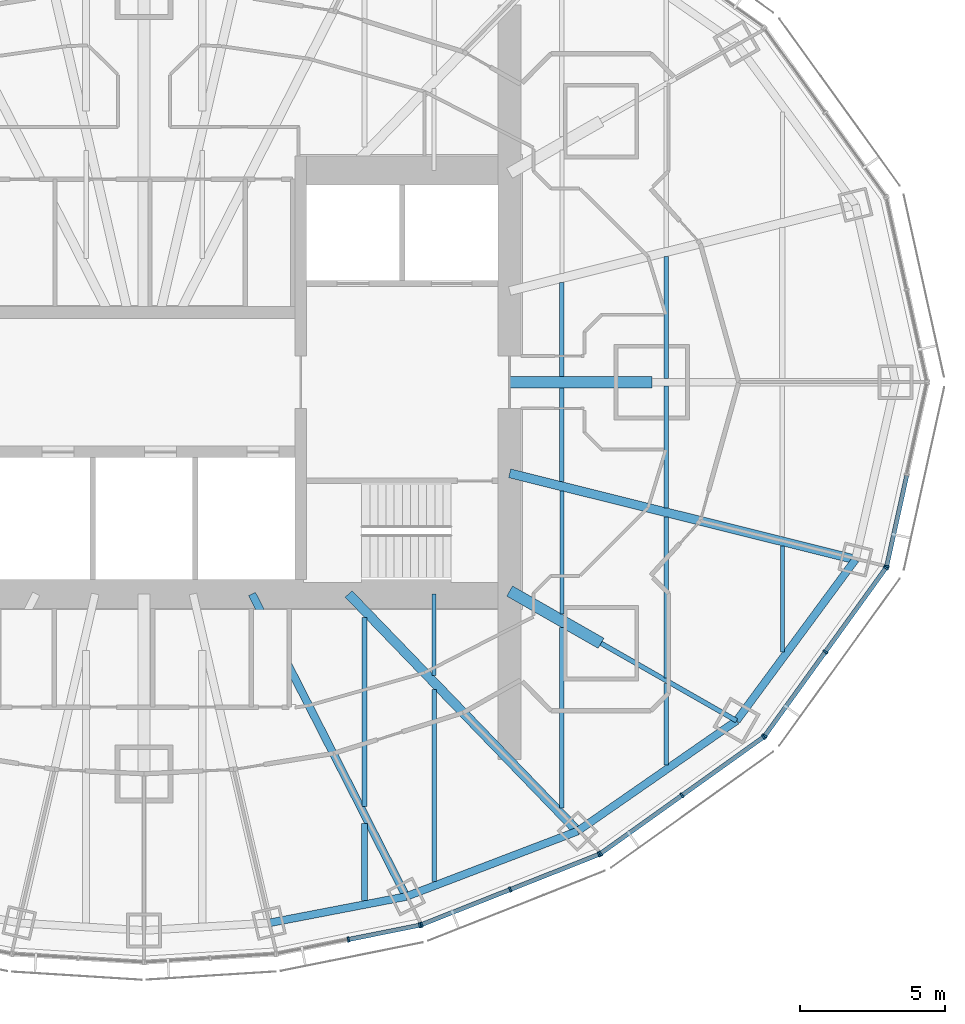
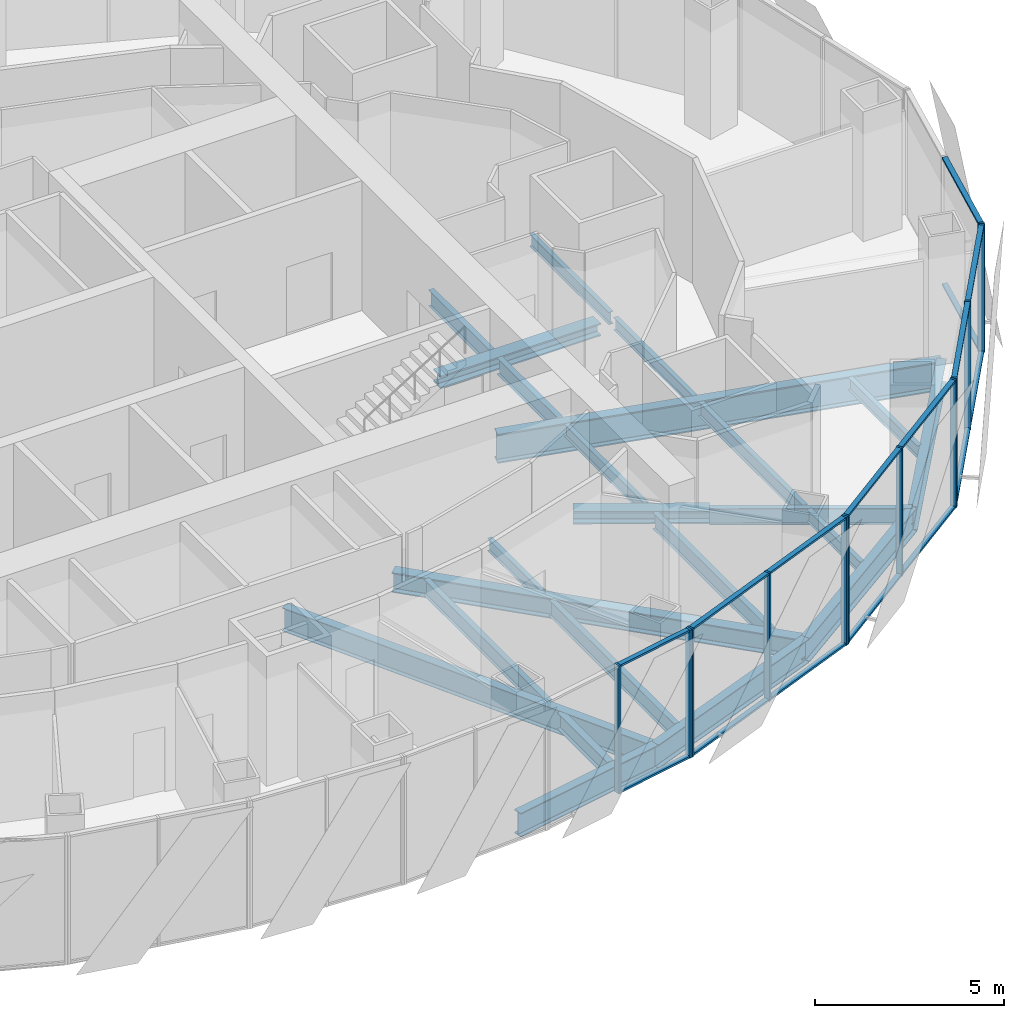
# One storey, part 6 of 18: 28 members, 23 beams, 5 elements without a shape of their own.
"""IFC4 building model written with IfcOpenShell, lengths in metres."""

from ifc_helpers import new_model, si_unit, direction, frame, origin, origin_2d, place, context, subcontext, project, spatial, rectangle, i_section, extrude, material, material_profile, profile_set, type_object, element, aggregate, save


model = new_model("IFC4")

# Units and contexts
model_context = context("Model", 3, precision=1e-05, world=origin(), true_north=direction((0.0, 1.0)))
body_context = subcontext(model_context, "Body", "Model", "MODEL_VIEW")
ifc_project = project(units=[si_unit("LENGTHUNIT", "METRE"), si_unit("AREAUNIT", "SQUARE_METRE"), si_unit("VOLUMEUNIT", "CUBIC_METRE"), si_unit("PLANEANGLEUNIT", "RADIAN"), si_unit("MASSUNIT", "GRAM", prefix="KILO")], contexts=[model_context])

# Site, building, storey
site_placement = place(None, origin())
site = spatial("IfcSite", under=ifc_project, at=site_placement, CompositionType="ELEMENT")
building_placement = place(site_placement, origin())
building = spatial("IfcBuilding", under=site, at=building_placement, Name="Lantaw Convention Tower", CompositionType="ELEMENT")
storey_placement = place(building_placement, frame((0.0, 0.0, 228.39990234375)))
storey = spatial("IfcBuildingStorey", under=building, at=storey_placement, Name="L53", CompositionType="ELEMENT", Elevation=228.39990234375)

# Beams
ifc_material_1 = material(Name="Steel ASTM A992", Category="steel")
ifc_material_profile_1 = material_profile(ifc_material_1, i_section(OverallWidth=0.2666015625, OverallDepth=0.76953125, WebThickness=0.015625, FlangeThickness=0.025390625, FilletRadius=0.0126953125, at=origin_2d()), Name="W30X132")
ifc_profile_set_1 = profile_set([ifc_material_profile_1], Name="Steel ASTM A992")
beam_type_1 = type_object("IfcBeamType", Name="Beam E W30X132", PredefinedType="SPANDREL", material=ifc_profile_set_1)
beam_1_placement = place(storey_placement, frame((4.303955078125, -18.64208984375, -0.53466796875), z_axis=(0.981972091702, 0.189025953556, 0.0), x_axis=(-0.189025953556, 0.981972091702, 0.0)))
element("IfcBeam", 1, at=beam_1_placement, inside=storey, type_object=beam_type_1, Name="Edge beam 20", PredefinedType="SPANDREL", context=body_context, shape_type="SweptSolid", body=[
    extrude(i_section(OverallWidth=0.2666015625, OverallDepth=0.76953125, WebThickness=0.015625, FlangeThickness=0.025390625, FilletRadius=0.0126953125, at=origin_2d()), origin(), (0.0, 0.0, 1.0), 4.817626953125),
])
beam_2_placement = place(storey_placement, frame((9.03466796875, -17.7314453125, -0.53466796875), z_axis=(0.934234988, 0.356658081637, 0.0), x_axis=(-0.356658081637, 0.934234988, 0.0)))
element("IfcBeam", 2, at=beam_2_placement, inside=storey, type_object=beam_type_1, Name="Edge beam 21", PredefinedType="SPANDREL", context=body_context, shape_type="SweptSolid", body=[
    extrude(i_section(OverallWidth=0.2666015625, OverallDepth=0.76953125, WebThickness=0.015625, FlangeThickness=0.025390625, FilletRadius=0.0126953125, at=origin_2d()), origin(), (0.0, 0.0, 1.0), 6.32568359375),
])
beam_3_placement = place(storey_placement, frame((14.9443359375, -15.475341796875, -0.53466796875), z_axis=(0.82135329406, 0.570419815869, 0.0), x_axis=(-0.570419815869, 0.82135329406, 0.0)))
element("IfcBeam", 3, at=beam_3_placement, inside=storey, type_object=beam_type_1, Name="Edge beam 22", PredefinedType="SPANDREL", context=body_context, shape_type="SweptSolid", body=[
    extrude(i_section(OverallWidth=0.2666015625, OverallDepth=0.76953125, WebThickness=0.015625, FlangeThickness=0.025390625, FilletRadius=0.0126953125, at=origin_2d()), origin(), (0.0, 0.0, 1.0), 6.67041015625),
])
beam_4_placement = place(storey_placement, frame((20.423095703125, -11.67041015625, -0.53466796875), z_axis=(0.593639188853, 0.804731329984, 0.0), x_axis=(-0.804731329984, 0.593639188853, 0.0)))
element("IfcBeam", 4, at=beam_4_placement, inside=storey, type_object=beam_type_1, Name="Edge beam 23", PredefinedType="SPANDREL", context=body_context, shape_type="SweptSolid", body=[
    extrude(i_section(OverallWidth=0.2666015625, OverallDepth=0.76953125, WebThickness=0.015625, FlangeThickness=0.025390625, FilletRadius=0.0126953125, at=origin_2d()), origin(), (0.0, 0.0, 1.0), 6.904541015625),
])
ifc_material_profile_2 = material_profile(ifc_material_1, i_section(OverallWidth=0.165771484375, OverallDepth=0.5283203125, WebThickness=0.009765625, FlangeThickness=0.013671875, FilletRadius=0.012939453125, at=origin_2d()), Name="W21X50")
ifc_profile_set_2 = profile_set([ifc_material_profile_2], Name="Steel ASTM A992")
beam_type_2 = type_object("IfcBeamType", Name="Beam G W21X50", PredefinedType="BEAM", material=ifc_profile_set_2)
beam_5_placement = place(storey_placement, frame((15.75, -9.0, -0.4140625), z_axis=(0.868237559289, -0.496148708192, 0.0), x_axis=(0.496148708192, 0.868237559289, 0.0)))
element("IfcBeam", 5, at=beam_5_placement, inside=storey, type_object=beam_type_2, Name="Floor girder on ray 23", PredefinedType="BEAM", context=body_context, shape_type="SweptSolid", body=[
    extrude(i_section(OverallWidth=0.165771484375, OverallDepth=0.5283203125, WebThickness=0.009765625, FlangeThickness=0.013671875, FilletRadius=0.012939453125, at=origin_2d()), origin(), (0.0, 0.0, 1.0), 5.38232421875),
])
ifc_material_profile_3 = material_profile(ifc_material_1, i_section(OverallWidth=0.32763671875, OverallDepth=0.64013671875, WebThickness=0.01904296875, FlangeThickness=0.033935546875, FilletRadius=0.0126953125, at=origin_2d()), Name="W24X176")
ifc_profile_set_3 = profile_set([ifc_material_profile_3], Name="Steel ASTM A992")
beam_type_3 = type_object("IfcBeamType", Name="Beam G W24X176", PredefinedType="BEAM", material=ifc_profile_set_3)
beam_6_placement = place(storey_placement, frame((7.049560546875, -7.300048828125, -0.469970703125), z_axis=(0.694657766726, -0.719340383356, 0.0), x_axis=(0.719340383356, 0.694657766726, 0.0)))
element("IfcBeam", 6, at=beam_6_placement, inside=storey, type_object=beam_type_3, Name="Floor girder on ray 22", PredefinedType="BEAM", context=body_context, shape_type="SweptSolid", body=[
    extrude(i_section(OverallWidth=0.32763671875, OverallDepth=0.64013671875, WebThickness=0.01904296875, FlangeThickness=0.033935546875, FilletRadius=0.0126953125, at=origin_2d()), origin(), (0.0, 0.0, 1.0), 11.364990234375),
])
ifc_material_profile_4 = material_profile(ifc_material_1, i_section(OverallWidth=0.2666015625, OverallDepth=0.7568359375, WebThickness=0.013916015625, FlangeThickness=0.019287109375, FilletRadius=0.0126953125, at=origin_2d()), Name="W30X108")
ifc_profile_set_4 = profile_set([ifc_material_profile_4], Name="Steel ASTM A992")
beam_type_4 = type_object("IfcBeamType", Name="Beam G W30X108", PredefinedType="BEAM", material=ifc_profile_set_4)
beam_7_placement = place(storey_placement, frame((3.719482421875, -7.300048828125, -0.5283203125), z_axis=(0.4539988787, -0.891002254845, 0.0), x_axis=(0.891002254845, 0.4539988787, 0.0)))
element("IfcBeam", 7, at=beam_7_placement, inside=storey, type_object=beam_type_4, Name="Floor girder on ray 21", PredefinedType="BEAM", context=body_context, shape_type="SweptSolid", body=[
    extrude(i_section(OverallWidth=0.2666015625, OverallDepth=0.7568359375, WebThickness=0.013916015625, FlangeThickness=0.019287109375, FilletRadius=0.0126953125, at=origin_2d()), origin(), (0.0, 0.0, 1.0), 11.70751953125),
])
ifc_material_profile_5 = material_profile(ifc_material_1, i_section(OverallWidth=0.307373046875, OverallDepth=0.9423828125, WebThickness=0.022216796875, FlangeThickness=0.039794921875, FilletRadius=0.0126953125, at=origin_2d()), Name="W36X232")
ifc_profile_set_5 = profile_set([ifc_material_profile_5], Name="Steel ASTM A992")
beam_type_5 = type_object("IfcBeamType", Name="Beam G W36X232", PredefinedType="BEAM", material=ifc_profile_set_5)
beam_8_placement = place(storey_placement, frame((12.60009765625, -3.1416015625, -0.62109375), z_axis=(0.970296589314, -0.241918434119, 0.0), x_axis=(0.241918434119, 0.970296589314, 0.0)))
element("IfcBeam", 8, at=beam_8_placement, inside=storey, type_object=beam_type_5, Name="Floor girder on ray 24", PredefinedType="BEAM", context=body_context, shape_type="SweptSolid", body=[
    extrude(i_section(OverallWidth=0.307373046875, OverallDepth=0.9423828125, WebThickness=0.022216796875, FlangeThickness=0.039794921875, FilletRadius=0.0126953125, at=origin_2d()), origin(), (0.0, 0.0, 1.0), 12.286865234375),
])
ifc_material_profile_6 = material_profile(ifc_material_1, i_section(OverallWidth=0.40380859375, OverallDepth=0.406494140625, WebThickness=0.027099609375, FlangeThickness=0.043701171875, FilletRadius=0.01513671875, at=origin_2d()), Name="W14X233")
ifc_profile_set_6 = profile_set([ifc_material_profile_6], Name="Steel ASTM A992")
beam_type_6 = type_object("IfcBeamType", Name="Beam GM W14X233", PredefinedType="BEAM", material=ifc_profile_set_6)
beam_9_placement = place(storey_placement, frame((12.60009765625, 0.0, -0.35302734375), z_axis=(1.0, 0.0, 0.0), x_axis=(0.0, 1.0, 0.0)))
element("IfcBeam", 9, at=beam_9_placement, inside=storey, type_object=beam_type_6, Name="Core link beam on ray 1", PredefinedType="BEAM", context=body_context, shape_type="SweptSolid", body=[
    extrude(i_section(OverallWidth=0.40380859375, OverallDepth=0.406494140625, WebThickness=0.027099609375, FlangeThickness=0.043701171875, FilletRadius=0.01513671875, at=origin_2d()), origin(), (0.0, 0.0, 1.0), 4.89990234375),
])
beam_10_placement = place(storey_placement, frame((12.60009765625, -7.199951171875, -0.35302734375), z_axis=(0.868230718294, -0.496160679428, 0.0), x_axis=(0.496160679428, 0.868230718294, 0.0)))
element("IfcBeam", 10, at=beam_10_placement, inside=storey, type_object=beam_type_6, Name="Core link beam on ray 23", PredefinedType="BEAM", context=body_context, shape_type="SweptSolid", body=[
    extrude(i_section(OverallWidth=0.40380859375, OverallDepth=0.406494140625, WebThickness=0.027099609375, FlangeThickness=0.043701171875, FilletRadius=0.01513671875, at=origin_2d()), origin(), (0.0, 0.0, 1.0), 3.6279296875),
])
ifc_material_profile_7 = material_profile(ifc_material_1, i_section(OverallWidth=0.140380859375, OverallDepth=0.40380859375, WebThickness=0.007080078125, FlangeThickness=0.01123046875, FilletRadius=0.01025390625, at=origin_2d()), Name="W16X31")
ifc_profile_set_7 = profile_set([ifc_material_profile_7], Name="Steel ASTM A992")
beam_type_7 = type_object("IfcBeamType", Name="Beam J W16X31", PredefinedType="JOIST", material=ifc_profile_set_7)
beam_11_placement = place(storey_placement, frame((10.0, -10.119384765625, -0.351806640625), z_axis=(0.0, 1.0, 0.0), x_axis=(-1.0, 0.0, 0.0)))
element("IfcBeam", 11, at=beam_11_placement, inside=storey, type_object=beam_type_7, Name="Floor joist", PredefinedType="JOIST", context=body_context, shape_type="SweptSolid", body=[
    extrude(i_section(OverallWidth=0.140380859375, OverallDepth=0.40380859375, WebThickness=0.007080078125, FlangeThickness=0.01123046875, FilletRadius=0.01025390625, at=origin_2d()), origin(), (0.0, 0.0, 1.0), 2.8193359375),
])
beam_12_placement = place(storey_placement, frame((14.39990234375, -7.99609375, -0.351806640625), z_axis=(0.0, 1.0, 0.0), x_axis=(-1.0, 0.0, 0.0)))
element("IfcBeam", 12, at=beam_12_placement, inside=storey, type_object=beam_type_7, Name="Floor joist", PredefinedType="JOIST", context=body_context, shape_type="SweptSolid", body=[
    extrude(i_section(OverallWidth=0.140380859375, OverallDepth=0.40380859375, WebThickness=0.007080078125, FlangeThickness=0.01123046875, FilletRadius=0.01025390625, at=origin_2d()), origin(), (0.0, 0.0, 1.0), 4.247314453125),
])
beam_13_placement = place(storey_placement, frame((18.0, -13.19091796875, -0.351806640625), z_axis=(0.0, 1.0, 0.0), x_axis=(-1.0, 0.0, 0.0)))
element("IfcBeam", 13, at=beam_13_placement, inside=storey, type_object=beam_type_7, Name="Floor joist", PredefinedType="JOIST", context=body_context, shape_type="SweptSolid", body=[
    extrude(i_section(OverallWidth=0.140380859375, OverallDepth=0.40380859375, WebThickness=0.007080078125, FlangeThickness=0.01123046875, FilletRadius=0.01025390625, at=origin_2d()), origin(), (0.0, 0.0, 1.0), 2.8095703125),
])
for number, where, z_axis, x_axis, name in (
    (14, (18.0, -4.32958984375, -0.351806640625), (0.0, 1.0, 0.0), (-1.0, 0.0, 0.0), "Floor joist"),
    (15, (18.0, 0.126953125, -0.351806640625), (0.0, 1.0, 0.0), (-1.0, 0.0, 0.0), "Floor joist"),
):
    element("IfcBeam", number, at=place(storey_placement, frame(where, z_axis=z_axis, x_axis=x_axis)), inside=storey, type_object=beam_type_7, Name=name, PredefinedType="JOIST", context=body_context, shape_type="SweptSolid", body=[
        extrude(i_section(OverallWidth=0.140380859375, OverallDepth=0.40380859375, WebThickness=0.007080078125, FlangeThickness=0.01123046875, FilletRadius=0.01025390625, at=origin_2d()), origin(), (0.0, 0.0, 1.0), 4.20263671875),
    ])
beam_14_placement = place(storey_placement, frame((22.0, -9.30810546875, -0.351806640625), z_axis=(0.0, 1.0, 0.0), x_axis=(-1.0, 0.0, 0.0)))
element("IfcBeam", 16, at=beam_14_placement, inside=storey, type_object=beam_type_7, Name="Floor joist", PredefinedType="JOIST", context=body_context, shape_type="SweptSolid", body=[
    extrude(i_section(OverallWidth=0.140380859375, OverallDepth=0.40380859375, WebThickness=0.007080078125, FlangeThickness=0.01123046875, FilletRadius=0.01025390625, at=origin_2d()), origin(), (0.0, 0.0, 1.0), 3.66455078125),
])
ifc_material_profile_8 = material_profile(ifc_material_1, i_section(OverallWidth=0.15234375, OverallDepth=0.449462890625, WebThickness=0.007568359375, FlangeThickness=0.0107421875, FilletRadius=0.01025390625, at=origin_2d()), Name="W18X35")
ifc_profile_set_8 = profile_set([ifc_material_profile_8], Name="Steel ASTM A992")
beam_type_8 = type_object("IfcBeamType", Name="Beam J W18X35", PredefinedType="JOIST", material=ifc_profile_set_8)
beam_15_placement = place(storey_placement, frame((18.0, -10.190185546875, -0.374755859375), z_axis=(0.0, 1.0, 0.0), x_axis=(-1.0, 0.0, 0.0)))
element("IfcBeam", 17, at=beam_15_placement, inside=storey, type_object=beam_type_8, Name="Floor joist", PredefinedType="JOIST", context=body_context, shape_type="SweptSolid", body=[
    extrude(i_section(OverallWidth=0.15234375, OverallDepth=0.449462890625, WebThickness=0.007568359375, FlangeThickness=0.0107421875, FilletRadius=0.01025390625, at=origin_2d()), origin(), (0.0, 0.0, 1.0), 5.5439453125),
])
ifc_material_profile_9 = material_profile(ifc_material_1, i_section(OverallWidth=0.1650390625, OverallDepth=0.52587890625, WebThickness=0.0087890625, FlangeThickness=0.011474609375, FilletRadius=0.0126953125, at=origin_2d()), Name="W21X44")
ifc_profile_set_9 = profile_set([ifc_material_profile_9], Name="Steel ASTM A992")
beam_type_9 = type_object("IfcBeamType", Name="Beam J W21X44", PredefinedType="JOIST", material=ifc_profile_set_9)
beam_16_placement = place(storey_placement, frame((7.60009765625, -14.6220703125, -0.412841796875), z_axis=(0.0, 1.0, 0.0), x_axis=(-1.0, 0.0, 0.0)))
element("IfcBeam", 18, at=beam_16_placement, inside=storey, type_object=beam_type_9, Name="Floor joist", PredefinedType="JOIST", context=body_context, shape_type="SweptSolid", body=[
    extrude(i_section(OverallWidth=0.1650390625, OverallDepth=0.52587890625, WebThickness=0.0087890625, FlangeThickness=0.011474609375, FilletRadius=0.0126953125, at=origin_2d()), origin(), (0.0, 0.0, 1.0), 6.51611328125),
])
beam_17_placement = place(storey_placement, frame((10.0, -17.22021484375, -0.412841796875), z_axis=(0.0, 1.0, 0.0), x_axis=(-1.0, 0.0, 0.0)))
element("IfcBeam", 19, at=beam_17_placement, inside=storey, type_object=beam_type_9, Name="Floor joist", PredefinedType="JOIST", context=body_context, shape_type="SweptSolid", body=[
    extrude(i_section(OverallWidth=0.1650390625, OverallDepth=0.52587890625, WebThickness=0.0087890625, FlangeThickness=0.011474609375, FilletRadius=0.0126953125, at=origin_2d()), origin(), (0.0, 0.0, 1.0), 6.629150390625),
])
beam_18_placement = place(storey_placement, frame((14.39990234375, -14.67578125, -0.412841796875), z_axis=(0.0, 1.0, 0.0), x_axis=(-1.0, 0.0, 0.0)))
element("IfcBeam", 20, at=beam_18_placement, inside=storey, type_object=beam_type_9, Name="Floor joist", PredefinedType="JOIST", context=body_context, shape_type="SweptSolid", body=[
    extrude(i_section(OverallWidth=0.1650390625, OverallDepth=0.52587890625, WebThickness=0.0087890625, FlangeThickness=0.011474609375, FilletRadius=0.0126953125, at=origin_2d()), origin(), (0.0, 0.0, 1.0), 6.214599609375),
])
for number, where, z_axis, x_axis, name in (
    (21, (14.39990234375, -3.431884765625, -0.412841796875), (0.0, 1.0, 0.0), (-1.0, 0.0, 0.0), "Floor joist"),
    (22, (14.39990234375, 0.201904296875, -0.412841796875), (0.0, 1.0, 0.0), (-1.0, 0.0, 0.0), "Floor joist"),
):
    element("IfcBeam", number, at=place(storey_placement, frame(where, z_axis=z_axis, x_axis=x_axis)), inside=storey, type_object=beam_type_9, Name=name, PredefinedType="JOIST", context=body_context, shape_type="SweptSolid", body=[
        extrude(i_section(OverallWidth=0.1650390625, OverallDepth=0.52587890625, WebThickness=0.0087890625, FlangeThickness=0.011474609375, FilletRadius=0.0126953125, at=origin_2d()), origin(), (0.0, 0.0, 1.0), 3.22998046875),
    ])
ifc_material_profile_10 = material_profile(ifc_material_1, i_section(OverallWidth=0.2099609375, OverallDepth=0.535888671875, WebThickness=0.010986328125, FlangeThickness=0.017333984375, FilletRadius=0.012939453125, at=origin_2d()), Name="W21X68")
ifc_profile_set_10 = profile_set([ifc_material_profile_10], Name="Steel ASTM A992")
beam_type_10 = type_object("IfcBeamType", Name="Beam J W21X68", PredefinedType="JOIST", material=ifc_profile_set_10)
beam_19_placement = place(storey_placement, frame((7.60009765625, -17.871826171875, -0.41796875), z_axis=(0.0, 1.0, 0.0), x_axis=(-1.0, 0.0, 0.0)))
element("IfcBeam", 23, at=beam_19_placement, inside=storey, type_object=beam_type_10, Name="Floor joist", PredefinedType="JOIST", context=body_context, shape_type="SweptSolid", body=[
    extrude(i_section(OverallWidth=0.2099609375, OverallDepth=0.535888671875, WebThickness=0.010986328125, FlangeThickness=0.017333984375, FilletRadius=0.012939453125, at=origin_2d()), origin(), (0.0, 0.0, 1.0), 2.662353515625),
])

# Curtain wall, members
ifc_material_2 = material(Name="Aluminium framed curtain wall", Category="aluminium")
curtain_wall_type = type_object("IfcCurtainWallType", Name="Office curtain wall high rise, pale aluminium", PredefinedType="USERDEFINED", material=ifc_material_2)
curtain_wall_1_placement = place(storey_placement, origin())
curtain_wall_1 = element("IfcCurtainWall", 24, at=curtain_wall_1_placement, inside=storey, type_object=curtain_wall_type, Name="Office curtain wall high rise, pale aluminium L53", ObjectType="UNITISED CURTAIN WALL", PredefinedType="USERDEFINED")
ifc_material_3 = material(Name="Aluminium 6063-T6", Category="aluminium")
ifc_material_profile_11 = material_profile(ifc_material_3, rectangle(XDim=0.179931640625, YDim=0.06494140625, at=origin_2d()), Name="CW-O2 mullion 65x180")
ifc_profile_set_11 = profile_set([ifc_material_profile_11], Name="Aluminium 6063-T6")
member_type_1 = type_object("IfcMemberType", Name="CW-O2 mullion 65x180", PredefinedType="MULLION", material=ifc_profile_set_11)
member_1_placement = place(storey_placement, frame((7.042724609375, -19.212646484375, -0.14990234375), z_axis=(0.0, 0.0, 1.0), x_axis=(-0.197183095987, 0.980366679695, 0.0)))
member_1 = element("IfcMember", 25, at=member_1_placement, type_object=member_type_1, Name="CW-O2 mullion 2", PredefinedType="MULLION", context=body_context, shape_type="SweptSolid", body=[
    extrude(rectangle(XDim=0.179931640625, YDim=0.06494140625, at=origin_2d()), origin(), (0.0, 0.0, 1.0), 4.14990234375),
])
member_2_placement = place(storey_placement, frame((9.502197265625, -18.718017578125, -0.14990234375), z_axis=(0.0, 0.0, 1.0), x_axis=(-0.197183095987, 0.980366679695, 0.0)))
member_2 = element("IfcMember", 26, at=member_2_placement, type_object=member_type_1, Name="CW-O2 mullion 3", PredefinedType="MULLION", context=body_context, shape_type="SweptSolid", body=[
    extrude(rectangle(XDim=0.179931640625, YDim=0.06494140625, at=origin_2d()), origin(), (0.0, 0.0, 1.0), 4.14990234375),
])

curtain_wall_2_placement = place(storey_placement, origin())
curtain_wall_2 = element("IfcCurtainWall", 27, at=curtain_wall_2_placement, inside=storey, type_object=curtain_wall_type, Name="Office curtain wall high rise, pale aluminium L53", ObjectType="UNITISED CURTAIN WALL", PredefinedType="USERDEFINED")
member_3_placement = place(storey_placement, frame((9.564208984375, -18.69970703125, -0.14990234375), z_axis=(0.0, 0.0, 1.0), x_axis=(-0.368162315252, 0.929761533743, 0.0)))
member_3 = element("IfcMember", 28, at=member_3_placement, type_object=member_type_1, Name="CW-O2 mullion 1", PredefinedType="MULLION", context=body_context, shape_type="SweptSolid", body=[
    extrude(rectangle(XDim=0.179931640625, YDim=0.06494140625, at=origin_2d()), origin(), (0.0, 0.0, 1.0), 4.14990234375),
])
member_4_placement = place(storey_placement, frame((12.621337890625, -17.4892578125, -0.14990234375), z_axis=(0.0, 0.0, 1.0), x_axis=(-0.368162315252, 0.929761533743, 0.0)))
member_4 = element("IfcMember", 29, at=member_4_placement, type_object=member_type_1, Name="CW-O2 mullion 2", PredefinedType="MULLION", context=body_context, shape_type="SweptSolid", body=[
    extrude(rectangle(XDim=0.179931640625, YDim=0.06494140625, at=origin_2d()), origin(), (0.0, 0.0, 1.0), 4.14990234375),
])
member_5_placement = place(storey_placement, frame((15.67822265625, -16.278564453125, -0.14990234375), z_axis=(0.0, 0.0, 1.0), x_axis=(-0.368162315252, 0.929761533743, 0.0)))
member_5 = element("IfcMember", 30, at=member_5_placement, type_object=member_type_1, Name="CW-O2 mullion 3", PredefinedType="MULLION", context=body_context, shape_type="SweptSolid", body=[
    extrude(rectangle(XDim=0.179931640625, YDim=0.06494140625, at=origin_2d()), origin(), (0.0, 0.0, 1.0), 4.14990234375),
])

curtain_wall_3_placement = place(storey_placement, origin())
curtain_wall_3 = element("IfcCurtainWall", 31, at=curtain_wall_3_placement, inside=storey, type_object=curtain_wall_type, Name="Office curtain wall high rise, pale aluminium L53", ObjectType="UNITISED CURTAIN WALL", PredefinedType="USERDEFINED")
member_6_placement = place(storey_placement, frame((15.73486328125, -16.247802734375, -0.14990234375), z_axis=(0.0, 0.0, 1.0), x_axis=(-0.581323487281, 0.813672540482, 0.0)))
member_6 = element("IfcMember", 32, at=member_6_placement, type_object=member_type_1, Name="CW-O2 mullion 1", PredefinedType="MULLION", context=body_context, shape_type="SweptSolid", body=[
    extrude(rectangle(XDim=0.179931640625, YDim=0.06494140625, at=origin_2d()), origin(), (0.0, 0.0, 1.0), 4.14990234375),
])
member_7_placement = place(storey_placement, frame((18.543212890625, -14.241455078125, -0.14990234375), z_axis=(0.0, 0.0, 1.0), x_axis=(-0.581323487281, 0.813672540482, 0.0)))
member_7 = element("IfcMember", 33, at=member_7_placement, type_object=member_type_1, Name="CW-O2 mullion 2", PredefinedType="MULLION", context=body_context, shape_type="SweptSolid", body=[
    extrude(rectangle(XDim=0.179931640625, YDim=0.06494140625, at=origin_2d()), origin(), (0.0, 0.0, 1.0), 4.14990234375),
])
member_8_placement = place(storey_placement, frame((21.3515625, -12.23486328125, -0.14990234375), z_axis=(0.0, 0.0, 1.0), x_axis=(-0.581323487281, 0.813672540482, 0.0)))
member_8 = element("IfcMember", 34, at=member_8_placement, type_object=member_type_1, Name="CW-O2 mullion 3", PredefinedType="MULLION", context=body_context, shape_type="SweptSolid", body=[
    extrude(rectangle(XDim=0.179931640625, YDim=0.06494140625, at=origin_2d()), origin(), (0.0, 0.0, 1.0), 4.14990234375),
])

curtain_wall_4_placement = place(storey_placement, origin())
curtain_wall_4 = element("IfcCurtainWall", 35, at=curtain_wall_4_placement, inside=storey, type_object=curtain_wall_type, Name="Office curtain wall high rise, pale aluminium L53", ObjectType="UNITISED CURTAIN WALL", PredefinedType="USERDEFINED")
member_9_placement = place(storey_placement, frame((21.397216796875, -12.189697265625, -0.14990234375), z_axis=(0.0, 0.0, 1.0), x_axis=(-0.810919559405, 0.585157643865, 0.0)))
member_9 = element("IfcMember", 36, at=member_9_placement, type_object=member_type_1, Name="CW-O2 mullion 1", PredefinedType="MULLION", context=body_context, shape_type="SweptSolid", body=[
    extrude(rectangle(XDim=0.179931640625, YDim=0.06494140625, at=origin_2d()), origin(), (0.0, 0.0, 1.0), 4.14990234375),
])
member_10_placement = place(storey_placement, frame((23.483642578125, -9.298095703125, -0.14990234375), z_axis=(0.0, 0.0, 1.0), x_axis=(-0.810919559405, 0.585157643865, 0.0)))
member_10 = element("IfcMember", 37, at=member_10_placement, type_object=member_type_1, Name="CW-O2 mullion 2", PredefinedType="MULLION", context=body_context, shape_type="SweptSolid", body=[
    extrude(rectangle(XDim=0.179931640625, YDim=0.06494140625, at=origin_2d()), origin(), (0.0, 0.0, 1.0), 4.14990234375),
])
member_11_placement = place(storey_placement, frame((25.5703125, -6.406494140625, -0.14990234375), z_axis=(0.0, 0.0, 1.0), x_axis=(-0.810919559405, 0.585157643865, 0.0)))
member_11 = element("IfcMember", 38, at=member_11_placement, type_object=member_type_1, Name="CW-O2 mullion 3", PredefinedType="MULLION", context=body_context, shape_type="SweptSolid", body=[
    extrude(rectangle(XDim=0.179931640625, YDim=0.06494140625, at=origin_2d()), origin(), (0.0, 0.0, 1.0), 4.14990234375),
])

# Curtain wall, member
curtain_wall_5_placement = place(storey_placement, origin())
curtain_wall_5 = element("IfcCurtainWall", 39, at=curtain_wall_5_placement, inside=storey, type_object=curtain_wall_type, Name="Office curtain wall high rise, pale aluminium L53", ObjectType="UNITISED CURTAIN WALL", PredefinedType="USERDEFINED")
member_12_placement = place(storey_placement, frame((25.596435546875, -6.348388671875, -0.14990234375), z_axis=(0.0, 0.0, 1.0), x_axis=(-0.976417396437, 0.215891333626, 0.0)))
member_12 = element("IfcMember", 40, at=member_12_placement, type_object=member_type_1, Name="CW-O2 mullion 1", PredefinedType="MULLION", context=body_context, shape_type="SweptSolid", body=[
    extrude(rectangle(XDim=0.179931640625, YDim=0.06494140625, at=origin_2d()), origin(), (0.0, 0.0, 1.0), 4.14990234375),
])

# Member
ifc_material_profile_12 = material_profile(ifc_material_3, rectangle(XDim=0.14990234375, YDim=0.06494140625, at=origin_2d()), Name="CW-O2 transom 65x150")
ifc_profile_set_12 = profile_set([ifc_material_profile_12], Name="Aluminium 6063-T6")
member_type_2 = type_object("IfcMemberType", Name="CW-O2 transom 65x150", PredefinedType="USERDEFINED", material=ifc_profile_set_12)
member_13_placement = place(storey_placement, frame((7.074462890625, -19.206298828125, -0.117431640625), z_axis=(0.98036104319, 0.197211117829, 0.0), x_axis=(-0.197211117829, 0.98036104319, 0.0)))
member_13 = element("IfcMember", 41, at=member_13_placement, type_object=member_type_2, Name="CW-O2 transom 2.1", ObjectType="TRANSOM", PredefinedType="USERDEFINED", context=body_context, shape_type="SweptSolid", body=[
    extrude(rectangle(XDim=0.14990234375, YDim=0.06494140625, at=origin_2d()), origin(), (0.0, 0.0, 1.0), 2.44384765625),
])

member_14_placement = place(storey_placement, frame((7.074462890625, -19.206298828125, 3.967529296875), z_axis=(0.98036104319, 0.197211117829, 0.0), x_axis=(-0.197211117829, 0.98036104319, 0.0)))
member_14 = element("IfcMember", 42, at=member_14_placement, type_object=member_type_2, Name="CW-O2 transom 2.2", ObjectType="TRANSOM", PredefinedType="USERDEFINED", context=body_context, shape_type="SweptSolid", body=[
    extrude(rectangle(XDim=0.14990234375, YDim=0.06494140625, at=origin_2d()), origin(), (0.0, 0.0, 1.0), 2.44384765625),
])

aggregate(curtain_wall_1, [member_1, member_2, member_13, member_14])

member_15_placement = place(storey_placement, frame((9.594482421875, -18.687744140625, -0.117431640625), z_axis=(0.929766642946, 0.368149412149, 0.0), x_axis=(-0.368149412149, 0.929766642946, 0.0)))
member_15 = element("IfcMember", 43, at=member_15_placement, type_object=member_type_2, Name="CW-O2 transom 1.1", ObjectType="TRANSOM", PredefinedType="USERDEFINED", context=body_context, shape_type="SweptSolid", body=[
    extrude(rectangle(XDim=0.14990234375, YDim=0.06494140625, at=origin_2d()), origin(), (0.0, 0.0, 1.0), 3.222900390625),
])

member_16_placement = place(storey_placement, frame((9.594482421875, -18.687744140625, 3.967529296875), z_axis=(0.929766642946, 0.368149412149, 0.0), x_axis=(-0.368149412149, 0.929766642946, 0.0)))
member_16 = element("IfcMember", 44, at=member_16_placement, type_object=member_type_2, Name="CW-O2 transom 1.2", ObjectType="TRANSOM", PredefinedType="USERDEFINED", context=body_context, shape_type="SweptSolid", body=[
    extrude(rectangle(XDim=0.14990234375, YDim=0.06494140625, at=origin_2d()), origin(), (0.0, 0.0, 1.0), 3.222900390625),
])

member_17_placement = place(storey_placement, frame((12.651611328125, -17.477294921875, -0.117431640625), z_axis=(0.929740712354, 0.368214893495, 0.0), x_axis=(-0.368214893495, 0.929740712354, 0.0)))
member_17 = element("IfcMember", 45, at=member_17_placement, type_object=member_type_2, Name="CW-O2 transom 2.1", ObjectType="TRANSOM", PredefinedType="USERDEFINED", context=body_context, shape_type="SweptSolid", body=[
    extrude(rectangle(XDim=0.14990234375, YDim=0.06494140625, at=origin_2d()), origin(), (0.0, 0.0, 1.0), 3.22314453125),
])

member_18_placement = place(storey_placement, frame((12.651611328125, -17.477294921875, 3.967529296875), z_axis=(0.929740712354, 0.368214893495, 0.0), x_axis=(-0.368214893495, 0.929740712354, 0.0)))
member_18 = element("IfcMember", 46, at=member_18_placement, type_object=member_type_2, Name="CW-O2 transom 2.2", ObjectType="TRANSOM", PredefinedType="USERDEFINED", context=body_context, shape_type="SweptSolid", body=[
    extrude(rectangle(XDim=0.14990234375, YDim=0.06494140625, at=origin_2d()), origin(), (0.0, 0.0, 1.0), 3.22314453125),
])

aggregate(curtain_wall_2, [member_3, member_4, member_5, member_15, member_16, member_17, member_18])

member_19_placement = place(storey_placement, frame((15.761474609375, -16.22900390625, -0.117431640625), z_axis=(0.813645780821, 0.581360940683, 0.0), x_axis=(-0.581360940683, 0.813645780821, 0.0)))
member_19 = element("IfcMember", 47, at=member_19_placement, type_object=member_type_2, Name="CW-O2 transom 1.1", ObjectType="TRANSOM", PredefinedType="USERDEFINED", context=body_context, shape_type="SweptSolid", body=[
    extrude(rectangle(XDim=0.14990234375, YDim=0.06494140625, at=origin_2d()), origin(), (0.0, 0.0, 1.0), 3.386474609375),
])

member_20_placement = place(storey_placement, frame((15.761474609375, -16.22900390625, 3.967529296875), z_axis=(0.813645780821, 0.581360940683, 0.0), x_axis=(-0.581360940683, 0.813645780821, 0.0)))
member_20 = element("IfcMember", 48, at=member_20_placement, type_object=member_type_2, Name="CW-O2 transom 1.2", ObjectType="TRANSOM", PredefinedType="USERDEFINED", context=body_context, shape_type="SweptSolid", body=[
    extrude(rectangle(XDim=0.14990234375, YDim=0.06494140625, at=origin_2d()), origin(), (0.0, 0.0, 1.0), 3.386474609375),
])

member_21_placement = place(storey_placement, frame((18.56982421875, -14.222412109375, -0.117431640625), z_axis=(0.813679882592, 0.581313210468, 0.0), x_axis=(-0.581313210468, 0.813679882592, 0.0)))
member_21 = element("IfcMember", 49, at=member_21_placement, type_object=member_type_2, Name="CW-O2 transom 2.1", ObjectType="TRANSOM", PredefinedType="USERDEFINED", context=body_context, shape_type="SweptSolid", body=[
    extrude(rectangle(XDim=0.14990234375, YDim=0.06494140625, at=origin_2d()), origin(), (0.0, 0.0, 1.0), 3.38623046875),
])

member_22_placement = place(storey_placement, frame((18.56982421875, -14.222412109375, 3.967529296875), z_axis=(0.813679882592, 0.581313210468, 0.0), x_axis=(-0.581313210468, 0.813679882592, 0.0)))
member_22 = element("IfcMember", 50, at=member_22_placement, type_object=member_type_2, Name="CW-O2 transom 2.2", ObjectType="TRANSOM", PredefinedType="USERDEFINED", context=body_context, shape_type="SweptSolid", body=[
    extrude(rectangle(XDim=0.14990234375, YDim=0.06494140625, at=origin_2d()), origin(), (0.0, 0.0, 1.0), 3.38623046875),
])

aggregate(curtain_wall_3, [member_6, member_7, member_8, member_19, member_20, member_21, member_22])

member_23_placement = place(storey_placement, frame((21.416259765625, -12.163330078125, -0.117431640625), z_axis=(0.585123825205, 0.810943961798, 0.0), x_axis=(-0.810943961798, 0.585123825205, 0.0)))
member_23 = element("IfcMember", 51, at=member_23_placement, type_object=member_type_2, Name="CW-O2 transom 1.1", ObjectType="TRANSOM", PredefinedType="USERDEFINED", context=body_context, shape_type="SweptSolid", body=[
    extrude(rectangle(XDim=0.14990234375, YDim=0.06494140625, at=origin_2d()), origin(), (0.0, 0.0, 1.0), 3.500732421875),
])

member_24_placement = place(storey_placement, frame((21.416259765625, -12.163330078125, 3.967529296875), z_axis=(0.585123825205, 0.810943961798, 0.0), x_axis=(-0.810943961798, 0.585123825205, 0.0)))
member_24 = element("IfcMember", 52, at=member_24_placement, type_object=member_type_2, Name="CW-O2 transom 1.2", ObjectType="TRANSOM", PredefinedType="USERDEFINED", context=body_context, shape_type="SweptSolid", body=[
    extrude(rectangle(XDim=0.14990234375, YDim=0.06494140625, at=origin_2d()), origin(), (0.0, 0.0, 1.0), 3.500732421875),
])

member_25_placement = place(storey_placement, frame((23.502685546875, -9.271728515625, -0.117431640625), z_axis=(0.585169685931, 0.810910869743, 0.0), x_axis=(-0.810910869743, 0.585169685931, 0.0)))
member_25 = element("IfcMember", 53, at=member_25_placement, type_object=member_type_2, Name="CW-O2 transom 2.1", ObjectType="TRANSOM", PredefinedType="USERDEFINED", context=body_context, shape_type="SweptSolid", body=[
    extrude(rectangle(XDim=0.14990234375, YDim=0.06494140625, at=origin_2d()), origin(), (0.0, 0.0, 1.0), 3.500732421875),
])

member_26_placement = place(storey_placement, frame((23.502685546875, -9.271728515625, 3.967529296875), z_axis=(0.585169685931, 0.810910869743, 0.0), x_axis=(-0.810910869743, 0.585169685931, 0.0)))
member_26 = element("IfcMember", 54, at=member_26_placement, type_object=member_type_2, Name="CW-O2 transom 2.2", ObjectType="TRANSOM", PredefinedType="USERDEFINED", context=body_context, shape_type="SweptSolid", body=[
    extrude(rectangle(XDim=0.14990234375, YDim=0.06494140625, at=origin_2d()), origin(), (0.0, 0.0, 1.0), 3.500732421875),
])

aggregate(curtain_wall_4, [member_9, member_10, member_11, member_23, member_24, member_25, member_26])

member_27_placement = place(storey_placement, frame((25.603271484375, -6.316650390625, -0.117431640625), z_axis=(0.215894607042, 0.976416672661, 0.0), x_axis=(-0.976416672661, 0.215894607042, 0.0)))
member_27 = element("IfcMember", 55, at=member_27_placement, type_object=member_type_2, Name="CW-O2 transom 1.1", ObjectType="TRANSOM", PredefinedType="USERDEFINED", context=body_context, shape_type="SweptSolid", body=[
    extrude(rectangle(XDim=0.14990234375, YDim=0.06494140625, at=origin_2d()), origin(), (0.0, 0.0, 1.0), 3.169677734375),
])

member_28_placement = place(storey_placement, frame((25.603271484375, -6.316650390625, 3.967529296875), z_axis=(0.215894607042, 0.976416672661, 0.0), x_axis=(-0.976416672661, 0.215894607042, 0.0)))
member_28 = element("IfcMember", 56, at=member_28_placement, type_object=member_type_2, Name="CW-O2 transom 1.2", ObjectType="TRANSOM", PredefinedType="USERDEFINED", context=body_context, shape_type="SweptSolid", body=[
    extrude(rectangle(XDim=0.14990234375, YDim=0.06494140625, at=origin_2d()), origin(), (0.0, 0.0, 1.0), 3.169677734375),
])

aggregate(curtain_wall_5, [member_12, member_27, member_28])

save(model, "model.ifc")
